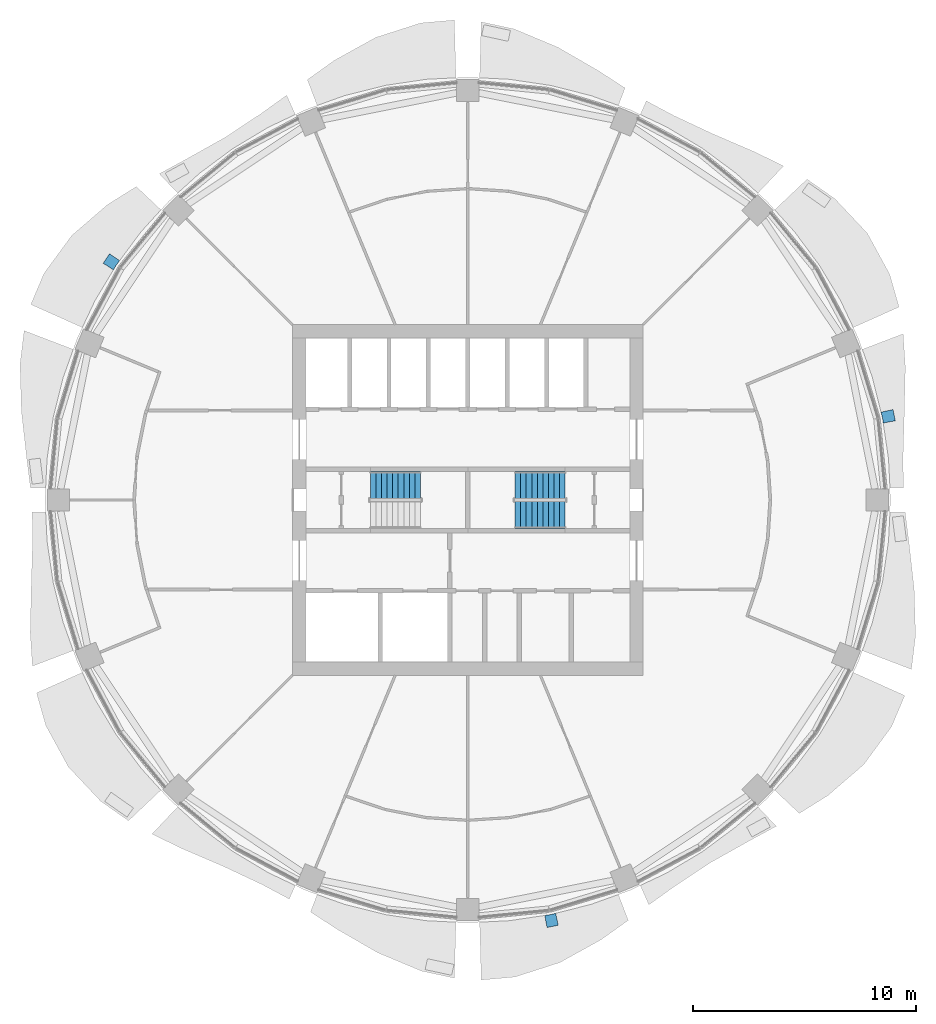
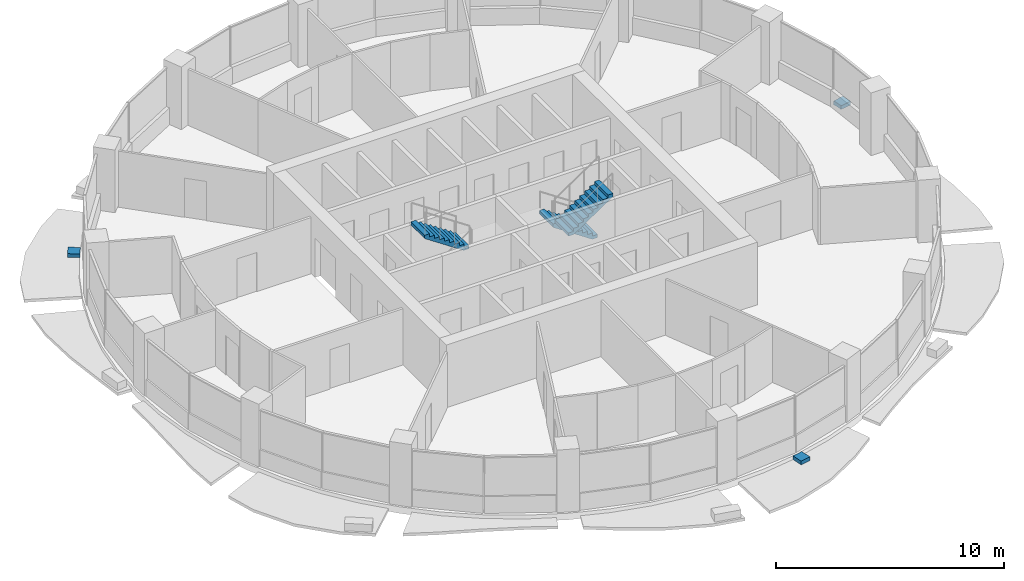
# One storey, part 11 of 15: 3 discrete accessories, 3 stair flights, 2 elements without a shape of their own.
"""IFC4 building model written with IfcOpenShell, lengths in metres."""

from ifc_helpers import new_model, si_unit, direction, frame, origin, place, context, subcontext, project, spatial, polyline, outline, extrude, material, type_object, element, aggregate, save


model = new_model("IFC4")

# Units and contexts
model_context = context("Model", 3, precision=1e-05, world=origin(), true_north=direction((0.0, 1.0)))
body_context = subcontext(model_context, "Body", "Model", "MODEL_VIEW")
ifc_project = project(units=[si_unit("LENGTHUNIT", "METRE"), si_unit("AREAUNIT", "SQUARE_METRE"), si_unit("VOLUMEUNIT", "CUBIC_METRE"), si_unit("PLANEANGLEUNIT", "RADIAN"), si_unit("MASSUNIT", "GRAM", prefix="KILO")], contexts=[model_context])

# Site, building, storey
site_placement = place(None, origin())
site = spatial("IfcSite", under=ifc_project, at=site_placement, CompositionType="ELEMENT")
building_placement = place(site_placement, origin())
building = spatial("IfcBuilding", under=site, at=building_placement, Name="Polderwave Tower", CompositionType="ELEMENT")
storey_placement = place(building_placement, frame((0.0, 0.0, 131.0)))
storey = spatial("IfcBuildingStorey", under=building, at=storey_placement, Name="L34", CompositionType="ELEMENT", Elevation=131.0)

# Stair, stair flight
ifc_material_1 = material(Name="Concrete C40/50", Category="concrete")
stair_type = type_object("IfcStairType", Name="Exit stair 1200 x 20 risers", PredefinedType="HALF_TURN_STAIR", material=ifc_material_1)
stair_1_placement = place(storey_placement, origin())
stair_1 = element("IfcStair", 1, at=stair_1_placement, inside=storey, type_object=stair_type, Name="L34 Exit stair A", PredefinedType="HALF_TURN_STAIR")
stair_flight_type = type_object("IfcStairFlightType", Name="Stair flight 1200", PredefinedType="STRAIGHT", material=ifc_material_1)
stair_flight_1_placement = place(storey_placement, frame((-2.1240234375, 0.675048828125, 1.675048828125), z_axis=(0.0, 0.0, 1.0), x_axis=(-1.0, 0.0, 0.0)))
stair_flight_1 = element("IfcStairFlight", 2, at=stair_flight_1_placement, type_object=stair_flight_type, Name="ST-A flight 2", NumberOfRisers=10, NumberOfTreads=9, PredefinedType="STRAIGHT", RiserHeight=0.1675, TreadLength=0.25, context=body_context, shape_type="SweptSolid", body=[
    extrude(outline(polyline([(0.0, 0.0), (0.0, 0.16748046875), (0.25, 0.16748046875), (0.25, 0.3349609375), (0.5, 0.3349609375), (0.5, 0.50244140625), (0.75, 0.50244140625), (0.75, 0.669921875), (1.0, 0.669921875), (1.0, 0.83740234375), (1.25, 0.83740234375), (1.25, 1.0048828125), (1.5, 1.0048828125), (1.5, 1.172607421875), (1.75, 1.172607421875), (1.75, 1.340087890625), (2.0, 1.340087890625), (2.0, 1.507568359375), (2.25, 1.507568359375), (2.25, 1.675048828125), (2.25, 1.3271484375), (0.269287109375, 0.0), (0.0, 0.0)])), frame((0.0, 0.60009765625, 0.0), z_axis=(0.0, -1.0, 0.0), x_axis=(1.0, 0.0, 0.0)), (0.0, 0.0, 1.0), 1.199951171875),
])
aggregate(stair_1, [stair_flight_1])

# Stair, stair flights
stair_2_placement = place(storey_placement, origin())
stair_2 = element("IfcStair", 3, at=stair_2_placement, inside=storey, type_object=stair_type, Name="L34 Exit stair B", PredefinedType="HALF_TURN_STAIR")
stair_flight_2_placement = place(storey_placement, frame((4.3740234375, 0.675048828125, 0.0), z_axis=(0.0, 0.0, 1.0), x_axis=(-1.0, 0.0, 0.0)))
stair_flight_2 = element("IfcStairFlight", 4, at=stair_flight_2_placement, type_object=stair_flight_type, Name="ST-B flight 1", NumberOfRisers=10, NumberOfTreads=9, PredefinedType="STRAIGHT", RiserHeight=0.1675, TreadLength=0.25, context=body_context, shape_type="SweptSolid", body=[
    extrude(outline(polyline([(0.0, 0.0), (0.0, 0.16748046875), (0.25, 0.16748046875), (0.25, 0.3349609375), (0.5, 0.3349609375), (0.5, 0.50244140625), (0.75, 0.50244140625), (0.75, 0.669921875), (1.0, 0.669921875), (1.0, 0.83740234375), (1.25, 0.83740234375), (1.25, 1.0048828125), (1.5, 1.0048828125), (1.5, 1.172607421875), (1.75, 1.172607421875), (1.75, 1.340087890625), (2.0, 1.340087890625), (2.0, 1.507568359375), (2.25, 1.507568359375), (2.25, 1.675048828125), (2.25, 1.3271484375), (0.269287109375, 0.0), (0.0, 0.0)])), frame((0.0, 0.60009765625, 0.0), z_axis=(0.0, -1.0, 0.0), x_axis=(1.0, 0.0, 0.0)), (0.0, 0.0, 1.0), 1.199951171875),
])
stair_flight_3_placement = place(storey_placement, frame((2.1240234375, -0.675048828125, 1.675048828125), z_axis=(0.0, 0.0, 1.0), x_axis=(1.0, 0.0, 0.0)))
stair_flight_3 = element("IfcStairFlight", 5, at=stair_flight_3_placement, type_object=stair_flight_type, Name="ST-B flight 2", NumberOfRisers=10, NumberOfTreads=9, PredefinedType="STRAIGHT", RiserHeight=0.1675, TreadLength=0.25, context=body_context, shape_type="SweptSolid", body=[
    extrude(outline(polyline([(0.0, 0.0), (0.0, 0.16748046875), (0.25, 0.16748046875), (0.25, 0.3349609375), (0.5, 0.3349609375), (0.5, 0.50244140625), (0.75, 0.50244140625), (0.75, 0.669921875), (1.0, 0.669921875), (1.0, 0.83740234375), (1.25, 0.83740234375), (1.25, 1.0048828125), (1.5, 1.0048828125), (1.5, 1.172607421875), (1.75, 1.172607421875), (1.75, 1.340087890625), (2.0, 1.340087890625), (2.0, 1.507568359375), (2.25, 1.507568359375), (2.25, 1.675048828125), (2.25, 1.3271484375), (0.269287109375, 0.0), (0.0, 0.0)])), frame((0.0, 0.60009765625, 0.0), z_axis=(0.0, -1.0, 0.0), x_axis=(1.0, 0.0, 0.0)), (0.0, 0.0, 1.0), 1.199951171875),
])
aggregate(stair_2, [stair_flight_2, stair_flight_3])

# Discrete accessories
ifc_material_2 = material(Name="Steel S355", Category="steel")
discrete_accessory_type = type_object("IfcDiscreteAccessoryType", Name="Band bracket pad", PredefinedType="BRACKET", material=ifc_material_2)
discrete_accessory_1_placement = place(storey_placement, frame((0.0, 0.0, -0.199951171875)))
element("IfcDiscreteAccessory", 6, at=discrete_accessory_1_placement, inside=storey, type_object=discrete_accessory_type, Name="Band bracket L34 1", PredefinedType="BRACKET", context=body_context, shape_type="SweptSolid", body=[
    extrude(outline(polyline([(18.652099609375, 3.45556640625), (18.615234375, 3.702880859375), (18.5546875, 3.9453125), (19.092529296875, 4.059814453125), (19.19287109375, 3.5556640625), (18.652099609375, 3.45556640625)])), origin(), (0.0, 0.0, 1.0), 0.199951171875),
])
discrete_accessory_2_placement = place(storey_placement, frame((0.0, 0.0, -0.199951171875)))
element("IfcDiscreteAccessory", 7, at=discrete_accessory_2_placement, inside=storey, type_object=discrete_accessory_type, Name="Band bracket L34 7", PredefinedType="BRACKET", context=body_context, shape_type="SweptSolid", body=[
    extrude(outline(polyline([(-15.63232421875, 10.74560546875), (-15.78125, 10.544677734375), (-15.909912109375, 10.330322265625), (-16.37109375, 10.6298828125), (-16.085693359375, 11.05712890625), (-15.63232421875, 10.74560546875)])), origin(), (0.0, 0.0, 1.0), 0.199951171875),
])
discrete_accessory_3_placement = place(storey_placement, frame((0.0, 0.0, -0.199951171875)))
element("IfcDiscreteAccessory", 8, at=discrete_accessory_3_placement, inside=storey, type_object=discrete_accessory_type, Name="Band bracket L34 13", PredefinedType="BRACKET", context=body_context, shape_type="SweptSolid", body=[
    extrude(outline(polyline([(3.45556640625, -18.652099609375), (3.702880859375, -18.615234375), (3.9453125, -18.5546875), (4.059814453125, -19.092529296875), (3.5556640625, -19.19287109375), (3.45556640625, -18.652099609375)])), origin(), (0.0, 0.0, 1.0), 0.199951171875),
])

save(model, "model.ifc")
